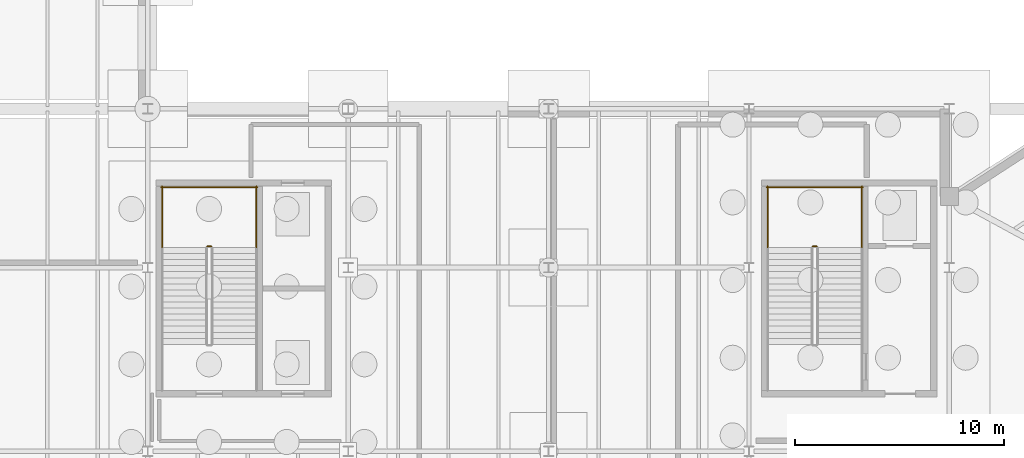
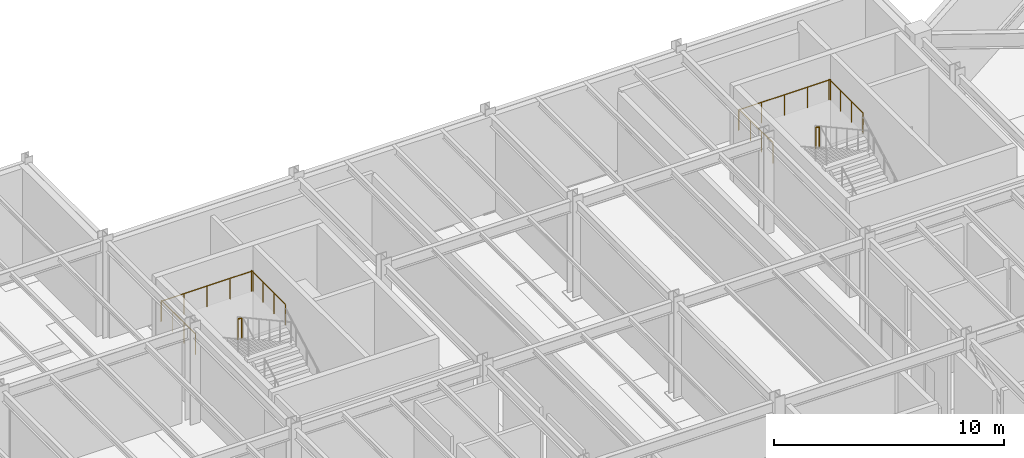
# One storey, part 46 of 48: 8 railings.
"""IFC4 building model written with IfcOpenShell, lengths in metres."""

import ifcopenshell
import ifcopenshell.guid

model = None  # the IFC model being written
_history = None  # IfcOwnerHistory: only IFC2X3 demands one
_inside = {}  # id of a spatial element -> (the spatial element, [elements in it])
_under = {}  # id of a project, library or spatial element -> (it, [spatial elements below it])
_declared = {}  # id of a project -> (the project, [libraries it declares])
_typed = {}  # id of a type object -> (the type object, [elements of that type])
_made_of = {}  # id of a material, layer set ... -> (it, [elements and type objects made of it])


def new_model(schema):
    """Start an empty IFC model of exactly this schema.

    Asked for "IFC4X3", IfcOpenShell would pick the latest addendum, in which some entities
    have other attributes; the version numbers below select the first issue.
    IFC2X3 requires an IfcOwnerHistory on every rooted entity: one is made here for all.
    """
    global model, _history
    if schema == "IFC4X3":
        model = ifcopenshell.file(schema_version=(4, 3, 0, 0))
    else:
        model = ifcopenshell.file(schema=schema)
    _inside.clear()
    _under.clear()
    _declared.clear()
    _typed.clear()
    _made_of.clear()
    _history = None
    if model.schema == "IFC2X3":
        org = make("IfcOrganization", Name="unknown")
        user = make(
            "IfcPersonAndOrganization",
            ThePerson=make("IfcPerson", FamilyName="unknown"),
            TheOrganization=org,
        )
        app = make(
            "IfcApplication",
            ApplicationDeveloper=org,
            Version="unknown",
            ApplicationFullName="unknown",
            ApplicationIdentifier="unknown",
        )
        _history = make(
            "IfcOwnerHistory",
            OwningUser=user,
            OwningApplication=app,
            ChangeAction="ADDED",
            CreationDate=0,
        )
    return model


def make(cls, **values):
    """One entity of the class cls with the attributes given. An attribute that is None is left unset."""
    return model.create_entity(
        cls, **{name: value for name, value in values.items() if value is not None}
    )


def rooted(cls, **values):
    """An entity with a GlobalId (a new one), such as an element, a storey or a relation."""
    return make(cls, GlobalId=ifcopenshell.guid.new(), OwnerHistory=_history, **values)


def si_unit(unit_type, name, prefix=None):
    """IfcSIUnit, for example si_unit("LENGTHUNIT", "METRE", prefix="MILLI")."""
    return make("IfcSIUnit", UnitType=unit_type, Prefix=prefix, Name=name)


def assignment(units):
    """IfcUnitAssignment: the units of a project."""
    return None if units is None else make("IfcUnitAssignment", Units=units)


def point(xyz):
    """IfcCartesianPoint."""
    return None if xyz is None else make("IfcCartesianPoint", Coordinates=xyz)


def direction(xyz):
    """IfcDirection."""
    return None if xyz is None else make("IfcDirection", DirectionRatios=xyz)


def frame(location, z_axis=None, x_axis=None):
    """IfcAxis2Placement3D, a coordinate frame: its origin and axes. An axis left out is left unset."""
    return make(
        "IfcAxis2Placement3D",
        Location=point(location),
        Axis=direction(z_axis),
        RefDirection=direction(x_axis),
    )


def frame_2d(location, x_axis=None):
    """IfcAxis2Placement2D, a coordinate frame in the plane: its origin and x axis."""
    return make(
        "IfcAxis2Placement2D", Location=point(location), RefDirection=direction(x_axis)
    )


def origin():
    """The frame at (0, 0, 0) with its axes left unset."""
    return frame((0.0, 0.0, 0.0))


def origin_2d():
    """The frame at (0, 0) in the plane with its x axis left unset."""
    return frame_2d((0.0, 0.0))


def place(relative_to, where):
    """IfcLocalPlacement: puts the frame where relative to a parent placement (None: the world)."""
    return make(
        "IfcLocalPlacement", PlacementRelTo=relative_to, RelativePlacement=where
    )


def context(
    kind, dimensions, precision=None, world=None, true_north=None, identifier=None
):
    """IfcGeometricRepresentationContext, for example the 3D "Model" context."""
    return make(
        "IfcGeometricRepresentationContext",
        ContextIdentifier=identifier,
        ContextType=kind,
        CoordinateSpaceDimension=dimensions,
        Precision=precision,
        WorldCoordinateSystem=world,
        TrueNorth=true_north,
    )


def subcontext(parent, identifier, kind, view, scale=None):
    """IfcGeometricRepresentationSubContext, for example "Body" below "Model"."""
    return make(
        "IfcGeometricRepresentationSubContext",
        ContextIdentifier=identifier,
        ContextType=kind,
        ParentContext=parent,
        TargetScale=scale,
        TargetView=view,
    )


def project(units=None, contexts=None):
    """IfcProject with its units and contexts."""
    return rooted(
        "IfcProject",
        Name="project",
        RepresentationContexts=contexts,
        UnitsInContext=assignment(units),
    )


def spatial(cls, under=None, at=None, **own):
    """A site, building, storey or space (cls), placed at a placement, below another one or the project."""
    s = rooted(cls, ObjectPlacement=at, **own)
    if under is not None:
        _under.setdefault(under.id(), (under, []))[1].append(s)
    return s


def profile(cls, at=None, kind="AREA", **sizes):
    """A parametric profile (cls). Its sizes go by their IFC names, for example OverallWidth=200.0."""
    return make(cls, ProfileType=kind, Position=at, **sizes)


def circle(**sizes):
    """IfcCircleProfileDef."""
    return profile("IfcCircleProfileDef", **sizes)


def extrude(swept, where, along, depth):
    """IfcExtrudedAreaSolid: the profile swept, set in the frame where, extruded along a direction by depth."""
    return make(
        "IfcExtrudedAreaSolid",
        SweptArea=swept,
        Position=where,
        ExtrudedDirection=direction(along),
        Depth=depth,
    )


def shape(context_of_items, identifier, shape_type, items):
    """IfcShapeRepresentation: the items that make up one representation, for example the "Body"."""
    return make(
        "IfcShapeRepresentation",
        ContextOfItems=context_of_items,
        RepresentationIdentifier=identifier,
        RepresentationType=shape_type,
        Items=items,
    )


def material(Name=None, Category=None):
    """IfcMaterial."""
    return make("IfcMaterial", Name=Name, Category=Category)


def layer(
    of_material, thickness, ventilated=None, Name=None, Category=None, Priority=None
):
    """IfcMaterialLayer: one layer of a wall or slab, of a material (None: an air gap)."""
    return make(
        "IfcMaterialLayer",
        Material=of_material,
        LayerThickness=thickness,
        IsVentilated=ventilated,
        Name=Name,
        Category=Category,
        Priority=Priority,
    )


def layer_set(layers, Name=None):
    """IfcMaterialLayerSet."""
    return make("IfcMaterialLayerSet", MaterialLayers=layers, LayerSetName=Name)


def made_of(thing, what):
    """Note that an element or type object is made of a material, layer set ...; save() writes the relation."""
    if what is not None:
        _made_of.setdefault(what.id(), (what, []))[1].append(thing)
    return thing


def type_object(cls, material=None, **own):
    """A type object (cls), such as IfcWallType, which elements share."""
    return made_of(rooted(cls, **own), material)


def element(
    cls,
    number,
    at=None,
    inside=None,
    cuts=None,
    type_object=None,
    material=None,
    context=None,
    identifier="Body",
    shape_type=None,
    held_by="IfcProductDefinitionShape",
    body=None,
    shapes=None,
    **own,
):
    """One element of the class cls, such as IfcWall. Its Tag is "e" and its number.

    at: its placement. inside: the storey or other place that contains it. cuts: it is an
    opening in that element (IfcRelVoidsElement). A single representation is given by context,
    identifier, shape_type and body (its items); several are given by shapes. held_by: the class
    of the entity that holds the representations. save() writes the other relations.
    """
    e = rooted(cls, Tag="e%d" % number, ObjectPlacement=at, **own)
    if body is not None:
        shapes = [shape(context, identifier, shape_type, body)]
    if shapes is not None:
        e.Representation = make(held_by, Representations=shapes)
    if inside is not None:
        _inside.setdefault(inside.id(), (inside, []))[1].append(e)
    if cuts is not None:
        rooted(
            "IfcRelVoidsElement", RelatingBuildingElement=cuts, RelatedOpeningElement=e
        )
    if type_object is not None:
        _typed.setdefault(type_object.id(), (type_object, []))[1].append(e)
    return made_of(e, material)


def aggregate(whole, parts):
    """IfcRelAggregates: a whole, such as a stair, and the parts it consists of."""
    return rooted("IfcRelAggregates", RelatingObject=whole, RelatedObjects=parts)


def save(model, path):
    """Write the relations noted so far, then the file.

    IfcRelAggregates (storeys below a building ...), IfcRelContainedInSpatialStructure (elements
    in a storey), IfcRelDefinesByType, IfcRelAssociatesMaterial and IfcRelDeclares: one each for
    every whole, place, type object, material and project.
    """
    for whole, parts in _under.values():
        aggregate(whole, parts)
    for where, things in _inside.values():
        rooted(
            "IfcRelContainedInSpatialStructure",
            RelatedElements=things,
            RelatingStructure=where,
        )
    for kind, things in _typed.values():
        rooted("IfcRelDefinesByType", RelatedObjects=things, RelatingType=kind)
    for what, things in _made_of.values():
        rooted("IfcRelAssociatesMaterial", RelatedObjects=things, RelatingMaterial=what)
    for by, libraries in _declared.values():
        rooted("IfcRelDeclares", RelatingContext=by, RelatedDefinitions=libraries)
    model.write(path)


model = new_model("IFC4")

# Units and contexts
model_context = context("Model", 3, precision=1e-05, world=origin(), true_north=direction((0.0, 1.0)))
body_context = subcontext(model_context, "Body", "Model", "MODEL_VIEW")
ifc_project = project(units=[si_unit("LENGTHUNIT", "METRE"), si_unit("AREAUNIT", "SQUARE_METRE"), si_unit("VOLUMEUNIT", "CUBIC_METRE"), si_unit("PLANEANGLEUNIT", "RADIAN"), si_unit("MASSUNIT", "GRAM", prefix="KILO")], contexts=[model_context])

# Site, building, storey
site_placement = place(None, origin())
site = spatial("IfcSite", under=ifc_project, at=site_placement, CompositionType="ELEMENT")
building_placement = place(site_placement, origin())
building = spatial("IfcBuilding", under=site, at=building_placement, Name="Sarnbrook Museum", CompositionType="ELEMENT")
storey_placement = place(building_placement, frame((0.0, 0.0, -5.39990234375)))
storey = spatial("IfcBuildingStorey", under=building, at=storey_placement, Name="B1", CompositionType="ELEMENT", Elevation=-5.39990234375)

# Railings
ifc_material = material(Name="Brushed Stainless Steel Grade 316", Category="steel")
ifc_layer = layer(ifc_material, 0.050048828125)
ifc_layer_set = layer_set([ifc_layer], Name="Brushed Stainless Steel Grade 316")
railing_type = type_object("IfcRailingType", Name="Guard_Int1120", PredefinedType="BALUSTRADE", material=ifc_layer_set)
railing_1_placement = place(storey_placement, frame((112.840087890625, 101.81005859375, 2.699951171875)))
element("IfcRailing", 1, at=railing_1_placement, inside=storey, type_object=railing_type, Name="B1 ST2 stair guard 2", PredefinedType="BALUSTRADE", context=body_context, shape_type="SweptSolid", body=[
    extrude(circle(Radius=0.02392578125, at=origin_2d()), frame((0.0, 0.0, 1.09619140625), z_axis=(-1.0, 0.0, 0.0), x_axis=(0.0, -1.0, 0.0)), (0.0, 0.0, 1.0), 0.18017578125),
    extrude(circle(Radius=0.02099609375, at=origin_2d()), origin(), (0.0, 0.0, 1.0), 1.072021484375),
    extrude(circle(Radius=0.02099609375, at=origin_2d()), frame((-0.18017578125, 0.0, 0.0)), (0.0, 0.0, 1.0), 1.072021484375),
])
for number, where, name in (
    (2, (115.010009765625, 101.760009765625, 2.699951171875), "B1 ST2 stair guard 3"),
    (3, (110.489990234375, 101.760009765625, 2.699951171875), "B1 ST2 stair guard 4"),
):
    element("IfcRailing", number, at=place(storey_placement, frame(where)), inside=storey, type_object=railing_type, Name=name, PredefinedType="BALUSTRADE", context=body_context, shape_type="SweptSolid", body=[
        extrude(circle(Radius=0.02392578125, at=origin_2d()), frame((0.0, 0.0, 1.09619140625), z_axis=(0.0, 1.0, 0.0), x_axis=(-1.0, 0.0, 0.0)), (0.0, 0.0, 1.0), 2.93994140625),
        extrude(circle(Radius=0.02099609375, at=origin_2d()), origin(), (0.0, 0.0, 1.0), 1.072021484375),
        extrude(circle(Radius=0.02099609375, at=origin_2d()), frame((0.0, 0.97998046875, 0.0)), (0.0, 0.0, 1.0), 1.072021484375),
        extrude(circle(Radius=0.02099609375, at=origin_2d()), frame((0.0, 1.9599609375, 0.0)), (0.0, 0.0, 1.0), 1.072021484375),
        extrude(circle(Radius=0.02099609375, at=origin_2d()), frame((0.0, 2.93994140625, 0.0)), (0.0, 0.0, 1.0), 1.072021484375),
    ])
railing_2_placement = place(storey_placement, frame((115.06005859375, 104.64990234375, 2.699951171875)))
element("IfcRailing", 4, at=railing_2_placement, inside=storey, type_object=railing_type, Name="B1 ST2 stair guard 5", PredefinedType="BALUSTRADE", context=body_context, shape_type="SweptSolid", body=[
    extrude(circle(Radius=0.02392578125, at=origin_2d()), frame((0.0, 0.0, 1.09619140625), z_axis=(-1.0, 0.0, 0.0), x_axis=(0.0, -1.0, 0.0)), (0.0, 0.0, 1.0), 4.6201171875),
    extrude(circle(Radius=0.02099609375, at=origin_2d()), origin(), (0.0, 0.0, 1.0), 1.072021484375),
    extrude(circle(Radius=0.02099609375, at=origin_2d()), frame((-1.155029296875, 0.0, 0.0)), (0.0, 0.0, 1.0), 1.072021484375),
    extrude(circle(Radius=0.02099609375, at=origin_2d()), frame((-2.31005859375, 0.0, 0.0)), (0.0, 0.0, 1.0), 1.072021484375),
    extrude(circle(Radius=0.02099609375, at=origin_2d()), frame((-3.465087890625, 0.0, 0.0)), (0.0, 0.0, 1.0), 1.072021484375),
    extrude(circle(Radius=0.02099609375, at=origin_2d()), frame((-4.6201171875, 0.0, 0.0)), (0.0, 0.0, 1.0), 1.072021484375),
])
railing_3_placement = place(storey_placement, frame((83.840087890625, 101.81005859375, 2.699951171875)))
element("IfcRailing", 5, at=railing_3_placement, inside=storey, type_object=railing_type, Name="B1 ST4 stair guard 2", PredefinedType="BALUSTRADE", context=body_context, shape_type="SweptSolid", body=[
    extrude(circle(Radius=0.02392578125, at=origin_2d()), frame((0.0, 0.0, 1.09619140625), z_axis=(-1.0, 0.0, 0.0), x_axis=(0.0, -1.0, 0.0)), (0.0, 0.0, 1.0), 0.18017578125),
    extrude(circle(Radius=0.02099609375, at=origin_2d()), origin(), (0.0, 0.0, 1.0), 1.072021484375),
    extrude(circle(Radius=0.02099609375, at=origin_2d()), frame((-0.18017578125, 0.0, 0.0)), (0.0, 0.0, 1.0), 1.072021484375),
])
for number, where, name in (
    (6, (86.010009765625, 101.760009765625, 2.699951171875), "B1 ST4 stair guard 3"),
    (7, (81.489990234375, 101.760009765625, 2.699951171875), "B1 ST4 stair guard 4"),
):
    element("IfcRailing", number, at=place(storey_placement, frame(where)), inside=storey, type_object=railing_type, Name=name, PredefinedType="BALUSTRADE", context=body_context, shape_type="SweptSolid", body=[
        extrude(circle(Radius=0.02392578125, at=origin_2d()), frame((0.0, 0.0, 1.09619140625), z_axis=(0.0, 1.0, 0.0), x_axis=(-1.0, 0.0, 0.0)), (0.0, 0.0, 1.0), 2.93994140625),
        extrude(circle(Radius=0.02099609375, at=origin_2d()), origin(), (0.0, 0.0, 1.0), 1.072021484375),
        extrude(circle(Radius=0.02099609375, at=origin_2d()), frame((0.0, 0.97998046875, 0.0)), (0.0, 0.0, 1.0), 1.072021484375),
        extrude(circle(Radius=0.02099609375, at=origin_2d()), frame((0.0, 1.9599609375, 0.0)), (0.0, 0.0, 1.0), 1.072021484375),
        extrude(circle(Radius=0.02099609375, at=origin_2d()), frame((0.0, 2.93994140625, 0.0)), (0.0, 0.0, 1.0), 1.072021484375),
    ])
railing_4_placement = place(storey_placement, frame((86.06005859375, 104.64990234375, 2.699951171875)))
element("IfcRailing", 8, at=railing_4_placement, inside=storey, type_object=railing_type, Name="B1 ST4 stair guard 5", PredefinedType="BALUSTRADE", context=body_context, shape_type="SweptSolid", body=[
    extrude(circle(Radius=0.02392578125, at=origin_2d()), frame((0.0, 0.0, 1.09619140625), z_axis=(-1.0, 0.0, 0.0), x_axis=(0.0, -1.0, 0.0)), (0.0, 0.0, 1.0), 4.6201171875),
    extrude(circle(Radius=0.02099609375, at=origin_2d()), origin(), (0.0, 0.0, 1.0), 1.072021484375),
    extrude(circle(Radius=0.02099609375, at=origin_2d()), frame((-1.155029296875, 0.0, 0.0)), (0.0, 0.0, 1.0), 1.072021484375),
    extrude(circle(Radius=0.02099609375, at=origin_2d()), frame((-2.31005859375, 0.0, 0.0)), (0.0, 0.0, 1.0), 1.072021484375),
    extrude(circle(Radius=0.02099609375, at=origin_2d()), frame((-3.465087890625, 0.0, 0.0)), (0.0, 0.0, 1.0), 1.072021484375),
    extrude(circle(Radius=0.02099609375, at=origin_2d()), frame((-4.6201171875, 0.0, 0.0)), (0.0, 0.0, 1.0), 1.072021484375),
])

save(model, "model.ifc")
